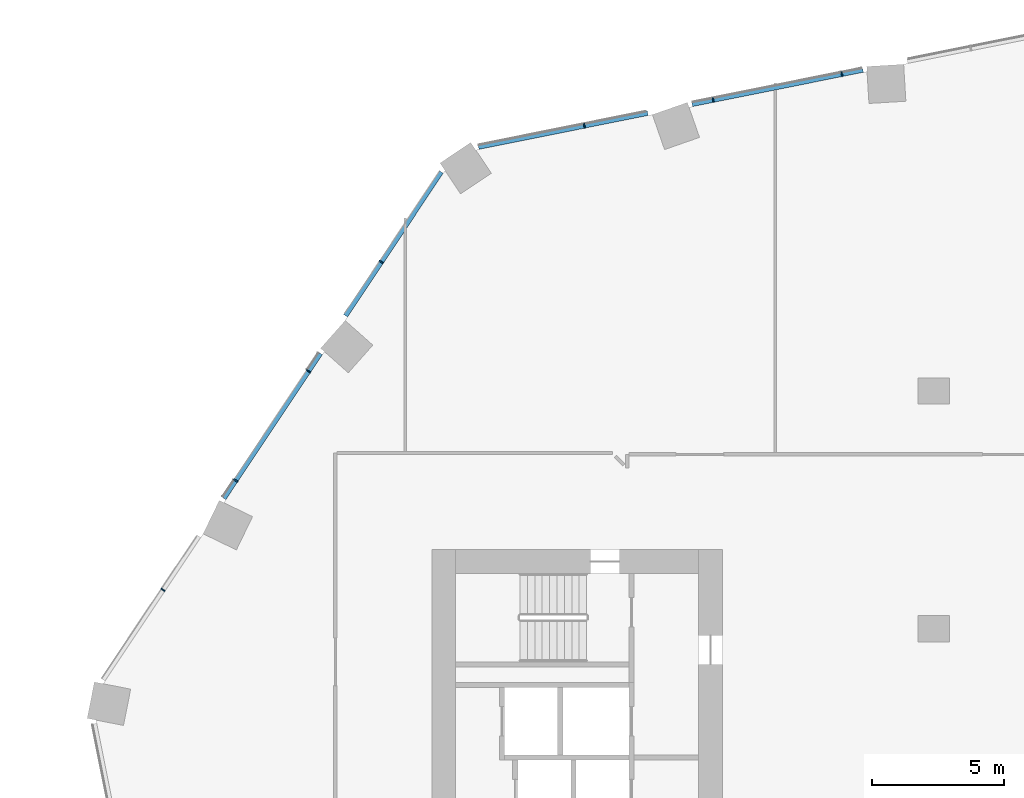
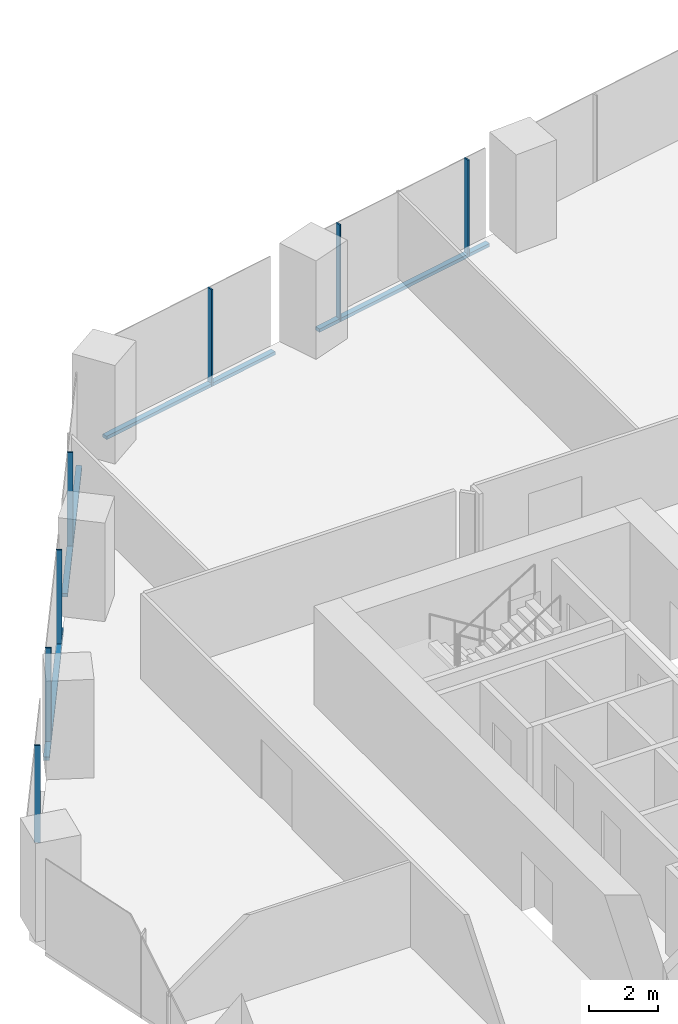
# One storey, part 13 of 38: 11 members, 2 elements without a shape of their own.
"""IFC4 building model written with IfcOpenShell, lengths in metres."""

from ifc_helpers import new_model, si_unit, direction, frame, origin, origin_2d, place, context, subcontext, project, spatial, rectangle, extrude, material, material_profile, profile_set, type_object, element, aggregate, save


model = new_model("IFC4")

# Units and contexts
model_context = context("Model", 3, precision=1e-05, world=origin(), true_north=direction((0.0, 1.0)))
body_context = subcontext(model_context, "Body", "Model", "MODEL_VIEW")
ifc_project = project(units=[si_unit("LENGTHUNIT", "METRE"), si_unit("AREAUNIT", "SQUARE_METRE"), si_unit("VOLUMEUNIT", "CUBIC_METRE"), si_unit("PLANEANGLEUNIT", "RADIAN"), si_unit("MASSUNIT", "GRAM", prefix="KILO")], contexts=[model_context])

# Site, building, storey
site_placement = place(None, origin())
site = spatial("IfcSite", under=ifc_project, at=site_placement, CompositionType="ELEMENT")
building_placement = place(site_placement, origin())
building = spatial("IfcBuilding", under=site, at=building_placement, Name="Orlundy Tower", CompositionType="ELEMENT")
storey_placement = place(building_placement, frame((0.0, 0.0, 69.300048828125)))
storey = spatial("IfcBuildingStorey", under=building, at=storey_placement, Name="L16", CompositionType="ELEMENT", Elevation=69.300048828125)

# Curtain wall, members
ifc_material_1 = material(Name="Aluminium bronze anodised", Category="aluminium")
curtain_wall_type = type_object("IfcCurtainWallType", Name="CW1 wall", PredefinedType="NOTDEFINED", material=ifc_material_1)
curtain_wall_1_placement = place(storey_placement, origin())
curtain_wall_1 = element("IfcCurtainWall", 1, at=curtain_wall_1_placement, inside=storey, type_object=curtain_wall_type, Name="CW1 run 014", PredefinedType="NOTDEFINED")
ifc_material_2 = material(Name="Aluminium bronze anodised", Category="aluminium")
ifc_material_profile_1 = material_profile(ifc_material_2, rectangle(XDim=0.179931640625, YDim=0.050048828125, at=origin_2d()), Name="CW1 mullion 50x180")
ifc_profile_set_1 = profile_set([ifc_material_profile_1], Name="Aluminium bronze anodised")
member_type_1 = type_object("IfcMemberType", Name="CW1 mullion 50x180", PredefinedType="MULLION", material=ifc_profile_set_1)
member_1_placement = place(storey_placement, frame((-29.176513671875, 10.4755859375, -0.400146484375), z_axis=(0.0, 0.0, 1.0), x_axis=(-0.832279269513, 0.554356579774, 0.0)))
member_1 = element("IfcMember", 2, at=member_1_placement, type_object=member_type_1, Name="CW1 mullion 35", PredefinedType="MULLION", context=body_context, shape_type="SweptSolid", body=[
    extrude(rectangle(XDim=0.179931640625, YDim=0.050048828125, at=origin_2d()), origin(), (0.0, 0.0, 1.0), 3.4501953125),
])
member_2_placement = place(storey_placement, frame((-26.421142578125, 14.612548828125, -0.400146484375), z_axis=(0.0, 0.0, 1.0), x_axis=(-0.832279269513, 0.554356579774, 0.0)))
member_2 = element("IfcMember", 3, at=member_2_placement, type_object=member_type_1, Name="CW1 mullion 36", PredefinedType="MULLION", context=body_context, shape_type="SweptSolid", body=[
    extrude(rectangle(XDim=0.179931640625, YDim=0.050048828125, at=origin_2d()), origin(), (0.0, 0.0, 1.0), 3.4501953125),
])
member_3_placement = place(storey_placement, frame((-23.665771484375, 18.749267578125, -0.400146484375), z_axis=(0.0, 0.0, 1.0), x_axis=(-0.832279269513, 0.554356579774, 0.0)))
member_3 = element("IfcMember", 4, at=member_3_placement, type_object=member_type_1, Name="CW1 mullion 37", PredefinedType="MULLION", context=body_context, shape_type="SweptSolid", body=[
    extrude(rectangle(XDim=0.179931640625, YDim=0.050048828125, at=origin_2d()), origin(), (0.0, 0.0, 1.0), 3.4501953125),
])
member_4_placement = place(storey_placement, frame((-20.910400390625, 22.885986328125, -0.400146484375), z_axis=(0.0, 0.0, 1.0), x_axis=(-0.832279269513, 0.554356579774, 0.0)))
member_4 = element("IfcMember", 5, at=member_4_placement, type_object=member_type_1, Name="CW1 mullion 38", PredefinedType="MULLION", context=body_context, shape_type="SweptSolid", body=[
    extrude(rectangle(XDim=0.179931640625, YDim=0.050048828125, at=origin_2d()), origin(), (0.0, 0.0, 1.0), 3.4501953125),
])

curtain_wall_2_placement = place(storey_placement, origin())
curtain_wall_2 = element("IfcCurtainWall", 6, at=curtain_wall_2_placement, inside=storey, type_object=curtain_wall_type, Name="CW1 run 015", PredefinedType="NOTDEFINED")
member_5_placement = place(storey_placement, frame((-13.223876953125, 28.0380859375, -0.400146484375), z_axis=(0.0, 0.0, 1.0), x_axis=(-0.196510737775, 0.980501672583, 0.0)))
member_5 = element("IfcMember", 7, at=member_5_placement, type_object=member_type_1, Name="CW1 mullion 40", PredefinedType="MULLION", context=body_context, shape_type="SweptSolid", body=[
    extrude(rectangle(XDim=0.179931640625, YDim=0.050048828125, at=origin_2d()), origin(), (0.0, 0.0, 1.0), 3.4501953125),
])
member_6_placement = place(storey_placement, frame((-8.35009765625, 29.014892578125, -0.400146484375), z_axis=(0.0, 0.0, 1.0), x_axis=(-0.196510737775, 0.980501672583, 0.0)))
member_6 = element("IfcMember", 8, at=member_6_placement, type_object=member_type_1, Name="CW1 mullion 41", PredefinedType="MULLION", context=body_context, shape_type="SweptSolid", body=[
    extrude(rectangle(XDim=0.179931640625, YDim=0.050048828125, at=origin_2d()), origin(), (0.0, 0.0, 1.0), 3.4501953125),
])
member_7_placement = place(storey_placement, frame((-3.476318359375, 29.99169921875, -0.400146484375), z_axis=(0.0, 0.0, 1.0), x_axis=(-0.196510737775, 0.980501672583, 0.0)))
member_7 = element("IfcMember", 9, at=member_7_placement, type_object=member_type_1, Name="CW1 mullion 42", PredefinedType="MULLION", context=body_context, shape_type="SweptSolid", body=[
    extrude(rectangle(XDim=0.179931640625, YDim=0.050048828125, at=origin_2d()), origin(), (0.0, 0.0, 1.0), 3.4501953125),
])

# Member
ifc_material_3 = material(Name="Aluminium bronze anodised", Category="aluminium")
ifc_material_profile_2 = material_profile(ifc_material_3, rectangle(XDim=0.179931640625, YDim=0.1201171875, at=origin_2d()), Name="CW1 transom 180x120")
ifc_profile_set_2 = profile_set([ifc_material_profile_2], Name="Aluminium bronze anodised")
member_type_2 = type_object("IfcMemberType", Name="CW1 transom 180x120", PredefinedType="USERDEFINED", material=ifc_profile_set_2)
member_8_placement = place(storey_placement, frame((-26.87060546875, 13.9375, -0.340087890625), z_axis=(0.554332670304, 0.832295194407, 0.0), x_axis=(-0.832295194407, 0.554332670304, 0.0)))
member_8 = element("IfcMember", 10, at=member_8_placement, type_object=member_type_2, Name="CW1 transom", ObjectType="TRANSOM", PredefinedType="USERDEFINED", context=body_context, shape_type="SweptSolid", body=[
    extrude(rectangle(XDim=0.179931640625, YDim=0.1201171875, at=origin_2d()), origin(), (0.0, 0.0, 1.0), 6.5927734375),
])

member_9_placement = place(storey_placement, frame((-22.2646484375, 20.852783203125, -0.340087890625), z_axis=(0.55436374244, 0.832274498629, 0.0), x_axis=(-0.832274498629, 0.55436374244, 0.0)))
member_9 = element("IfcMember", 11, at=member_9_placement, type_object=member_type_2, Name="CW1 transom", ObjectType="TRANSOM", PredefinedType="USERDEFINED", context=body_context, shape_type="SweptSolid", body=[
    extrude(rectangle(XDim=0.179931640625, YDim=0.1201171875, at=origin_2d()), origin(), (0.0, 0.0, 1.0), 6.531494140625),
])

aggregate(curtain_wall_1, [member_1, member_2, member_3, member_4, member_8, member_9])

member_10_placement = place(storey_placement, frame((-17.2314453125, 27.23486328125, -0.340087890625), z_axis=(0.98050439315, 0.196497162863, 0.0), x_axis=(-0.196497162863, 0.98050439315, 0.0)))
member_10 = element("IfcMember", 12, at=member_10_placement, type_object=member_type_2, Name="CW1 transom", ObjectType="TRANSOM", PredefinedType="USERDEFINED", context=body_context, shape_type="SweptSolid", body=[
    extrude(rectangle(XDim=0.179931640625, YDim=0.1201171875, at=origin_2d()), origin(), (0.0, 0.0, 1.0), 6.5302734375),
])

member_11_placement = place(storey_placement, frame((-9.145751953125, 28.85546875, -0.340087890625), z_axis=(0.980505128338, 0.196493494301, 0.0), x_axis=(-0.196493494301, 0.980505128338, 0.0)))
member_11 = element("IfcMember", 13, at=member_11_placement, type_object=member_type_2, Name="CW1 transom", ObjectType="TRANSOM", PredefinedType="USERDEFINED", context=body_context, shape_type="SweptSolid", body=[
    extrude(rectangle(XDim=0.179931640625, YDim=0.1201171875, at=origin_2d()), origin(), (0.0, 0.0, 1.0), 6.593994140625),
])

aggregate(curtain_wall_2, [member_5, member_6, member_7, member_10, member_11])

save(model, "model.ifc")
